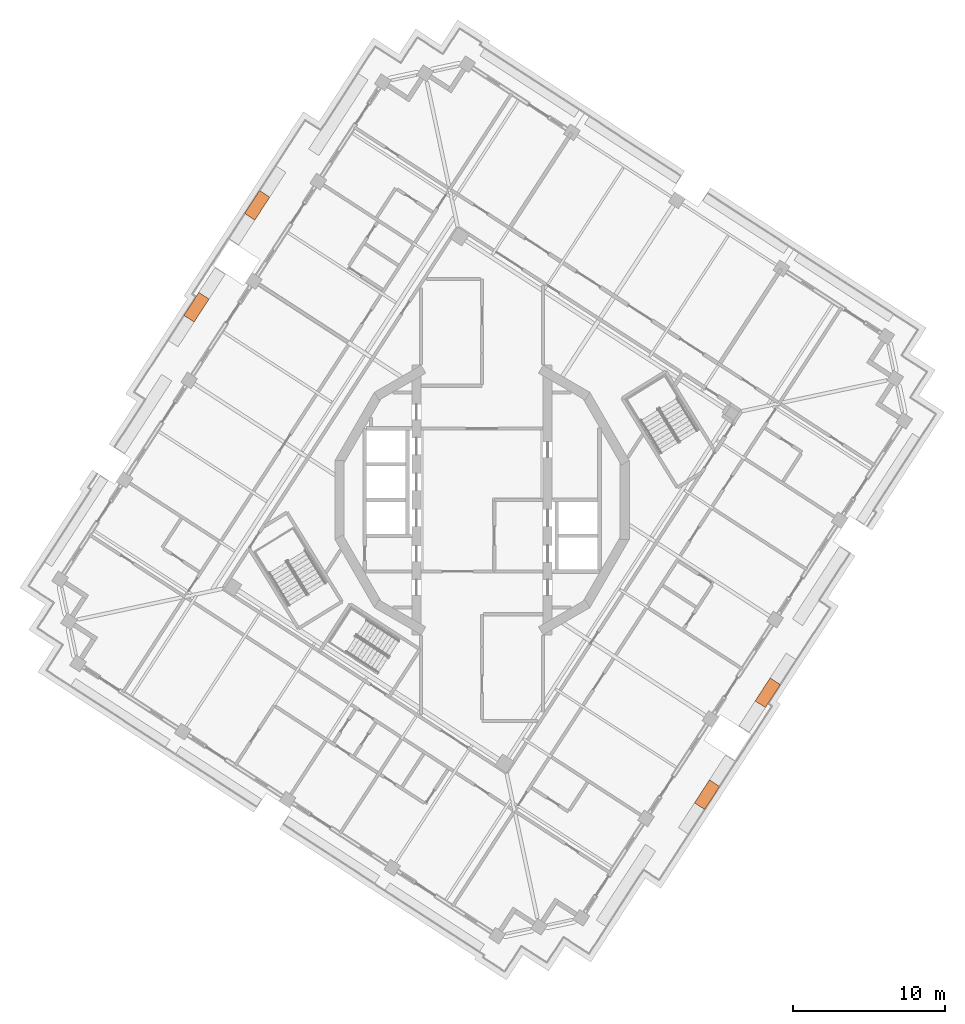
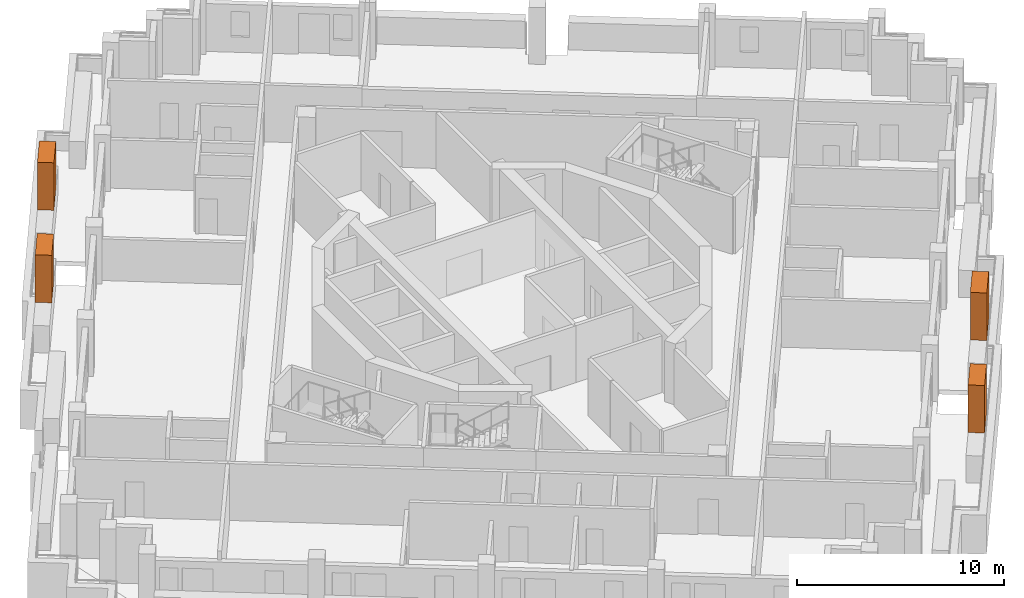
# One storey, part 15 of 15: 4 proxies.
"""IFC4 building model written with IfcOpenShell, lengths in metres."""

import ifcopenshell
import ifcopenshell.guid

model = None  # the IFC model being written
_history = None  # IfcOwnerHistory: only IFC2X3 demands one
_inside = {}  # id of a spatial element -> (the spatial element, [elements in it])
_under = {}  # id of a project, library or spatial element -> (it, [spatial elements below it])
_declared = {}  # id of a project -> (the project, [libraries it declares])
_typed = {}  # id of a type object -> (the type object, [elements of that type])
_made_of = {}  # id of a material, layer set ... -> (it, [elements and type objects made of it])


def new_model(schema):
    """Start an empty IFC model of exactly this schema.

    Asked for "IFC4X3", IfcOpenShell would pick the latest addendum, in which some entities
    have other attributes; the version numbers below select the first issue.
    IFC2X3 requires an IfcOwnerHistory on every rooted entity: one is made here for all.
    """
    global model, _history
    if schema == "IFC4X3":
        model = ifcopenshell.file(schema_version=(4, 3, 0, 0))
    else:
        model = ifcopenshell.file(schema=schema)
    _inside.clear()
    _under.clear()
    _declared.clear()
    _typed.clear()
    _made_of.clear()
    _history = None
    if model.schema == "IFC2X3":
        org = make("IfcOrganization", Name="unknown")
        user = make(
            "IfcPersonAndOrganization",
            ThePerson=make("IfcPerson", FamilyName="unknown"),
            TheOrganization=org,
        )
        app = make(
            "IfcApplication",
            ApplicationDeveloper=org,
            Version="unknown",
            ApplicationFullName="unknown",
            ApplicationIdentifier="unknown",
        )
        _history = make(
            "IfcOwnerHistory",
            OwningUser=user,
            OwningApplication=app,
            ChangeAction="ADDED",
            CreationDate=0,
        )
    return model


def make(cls, **values):
    """One entity of the class cls with the attributes given. An attribute that is None is left unset."""
    return model.create_entity(
        cls, **{name: value for name, value in values.items() if value is not None}
    )


def rooted(cls, **values):
    """An entity with a GlobalId (a new one), such as an element, a storey or a relation."""
    return make(cls, GlobalId=ifcopenshell.guid.new(), OwnerHistory=_history, **values)


def si_unit(unit_type, name, prefix=None):
    """IfcSIUnit, for example si_unit("LENGTHUNIT", "METRE", prefix="MILLI")."""
    return make("IfcSIUnit", UnitType=unit_type, Prefix=prefix, Name=name)


def assignment(units):
    """IfcUnitAssignment: the units of a project."""
    return None if units is None else make("IfcUnitAssignment", Units=units)


def point(xyz):
    """IfcCartesianPoint."""
    return None if xyz is None else make("IfcCartesianPoint", Coordinates=xyz)


def direction(xyz):
    """IfcDirection."""
    return None if xyz is None else make("IfcDirection", DirectionRatios=xyz)


def frame(location, z_axis=None, x_axis=None):
    """IfcAxis2Placement3D, a coordinate frame: its origin and axes. An axis left out is left unset."""
    return make(
        "IfcAxis2Placement3D",
        Location=point(location),
        Axis=direction(z_axis),
        RefDirection=direction(x_axis),
    )


def frame_2d(location, x_axis=None):
    """IfcAxis2Placement2D, a coordinate frame in the plane: its origin and x axis."""
    return make(
        "IfcAxis2Placement2D", Location=point(location), RefDirection=direction(x_axis)
    )


def origin():
    """The frame at (0, 0, 0) with its axes left unset."""
    return frame((0.0, 0.0, 0.0))


def origin_2d():
    """The frame at (0, 0) in the plane with its x axis left unset."""
    return frame_2d((0.0, 0.0))


def place(relative_to, where):
    """IfcLocalPlacement: puts the frame where relative to a parent placement (None: the world)."""
    return make(
        "IfcLocalPlacement", PlacementRelTo=relative_to, RelativePlacement=where
    )


def context(
    kind, dimensions, precision=None, world=None, true_north=None, identifier=None
):
    """IfcGeometricRepresentationContext, for example the 3D "Model" context."""
    return make(
        "IfcGeometricRepresentationContext",
        ContextIdentifier=identifier,
        ContextType=kind,
        CoordinateSpaceDimension=dimensions,
        Precision=precision,
        WorldCoordinateSystem=world,
        TrueNorth=true_north,
    )


def subcontext(parent, identifier, kind, view, scale=None):
    """IfcGeometricRepresentationSubContext, for example "Body" below "Model"."""
    return make(
        "IfcGeometricRepresentationSubContext",
        ContextIdentifier=identifier,
        ContextType=kind,
        ParentContext=parent,
        TargetScale=scale,
        TargetView=view,
    )


def project(units=None, contexts=None):
    """IfcProject with its units and contexts."""
    return rooted(
        "IfcProject",
        Name="project",
        RepresentationContexts=contexts,
        UnitsInContext=assignment(units),
    )


def spatial(cls, under=None, at=None, **own):
    """A site, building, storey or space (cls), placed at a placement, below another one or the project."""
    s = rooted(cls, ObjectPlacement=at, **own)
    if under is not None:
        _under.setdefault(under.id(), (under, []))[1].append(s)
    return s


def profile(cls, at=None, kind="AREA", **sizes):
    """A parametric profile (cls). Its sizes go by their IFC names, for example OverallWidth=200.0."""
    return make(cls, ProfileType=kind, Position=at, **sizes)


def rectangle(**sizes):
    """IfcRectangleProfileDef."""
    return profile("IfcRectangleProfileDef", **sizes)


def extrude(swept, where, along, depth):
    """IfcExtrudedAreaSolid: the profile swept, set in the frame where, extruded along a direction by depth."""
    return make(
        "IfcExtrudedAreaSolid",
        SweptArea=swept,
        Position=where,
        ExtrudedDirection=direction(along),
        Depth=depth,
    )


def shape(context_of_items, identifier, shape_type, items):
    """IfcShapeRepresentation: the items that make up one representation, for example the "Body"."""
    return make(
        "IfcShapeRepresentation",
        ContextOfItems=context_of_items,
        RepresentationIdentifier=identifier,
        RepresentationType=shape_type,
        Items=items,
    )


def made_of(thing, what):
    """Note that an element or type object is made of a material, layer set ...; save() writes the relation."""
    if what is not None:
        _made_of.setdefault(what.id(), (what, []))[1].append(thing)
    return thing


def element(
    cls,
    number,
    at=None,
    inside=None,
    cuts=None,
    type_object=None,
    material=None,
    context=None,
    identifier="Body",
    shape_type=None,
    held_by="IfcProductDefinitionShape",
    body=None,
    shapes=None,
    **own,
):
    """One element of the class cls, such as IfcWall. Its Tag is "e" and its number.

    at: its placement. inside: the storey or other place that contains it. cuts: it is an
    opening in that element (IfcRelVoidsElement). A single representation is given by context,
    identifier, shape_type and body (its items); several are given by shapes. held_by: the class
    of the entity that holds the representations. save() writes the other relations.
    """
    e = rooted(cls, Tag="e%d" % number, ObjectPlacement=at, **own)
    if body is not None:
        shapes = [shape(context, identifier, shape_type, body)]
    if shapes is not None:
        e.Representation = make(held_by, Representations=shapes)
    if inside is not None:
        _inside.setdefault(inside.id(), (inside, []))[1].append(e)
    if cuts is not None:
        rooted(
            "IfcRelVoidsElement", RelatingBuildingElement=cuts, RelatedOpeningElement=e
        )
    if type_object is not None:
        _typed.setdefault(type_object.id(), (type_object, []))[1].append(e)
    return made_of(e, material)


def aggregate(whole, parts):
    """IfcRelAggregates: a whole, such as a stair, and the parts it consists of."""
    return rooted("IfcRelAggregates", RelatingObject=whole, RelatedObjects=parts)


def save(model, path):
    """Write the relations noted so far, then the file.

    IfcRelAggregates (storeys below a building ...), IfcRelContainedInSpatialStructure (elements
    in a storey), IfcRelDefinesByType, IfcRelAssociatesMaterial and IfcRelDeclares: one each for
    every whole, place, type object, material and project.
    """
    for whole, parts in _under.values():
        aggregate(whole, parts)
    for where, things in _inside.values():
        rooted(
            "IfcRelContainedInSpatialStructure",
            RelatedElements=things,
            RelatingStructure=where,
        )
    for kind, things in _typed.values():
        rooted("IfcRelDefinesByType", RelatedObjects=things, RelatingType=kind)
    for what, things in _made_of.values():
        rooted("IfcRelAssociatesMaterial", RelatedObjects=things, RelatingMaterial=what)
    for by, libraries in _declared.values():
        rooted("IfcRelDeclares", RelatingContext=by, RelatedDefinitions=libraries)
    model.write(path)


model = new_model("IFC4")

# Units and contexts
model_context = context("Model", 3, precision=1e-05, world=origin(), true_north=direction((0.0, 1.0)))
body_context = subcontext(model_context, "Body", "Model", "MODEL_VIEW")
ifc_project = project(units=[si_unit("LENGTHUNIT", "METRE"), si_unit("AREAUNIT", "SQUARE_METRE"), si_unit("VOLUMEUNIT", "CUBIC_METRE"), si_unit("PLANEANGLEUNIT", "RADIAN"), si_unit("MASSUNIT", "GRAM", prefix="KILO")], contexts=[model_context])

# Site, building, storey
site_placement = place(None, origin())
site = spatial("IfcSite", under=ifc_project, at=site_placement, CompositionType="ELEMENT")
building_placement = place(site_placement, origin())
building = spatial("IfcBuilding", under=site, at=building_placement, Name="Cantera Rosa Tower", CompositionType="ELEMENT")
storey_placement = place(building_placement, frame((0.0, 0.0, 272.10009765625)))
storey = spatial("IfcBuildingStorey", under=building, at=storey_placement, Name="L61", CompositionType="ELEMENT", Elevation=272.10009765625)

# Proxies
for number, where, z_axis, x_axis, name in (
    (1, (-14.763916015625, 19.34130859375, 1.60009765625), (0.0, 0.0, 1.0), (-0.544639035015, -0.838670567945, 0.0), "TREE L61-06"),
    (2, (-18.747314453125, 12.651611328125, 1.60009765625), (0.0, 0.0, 1.0), (-0.544639035015, -0.838670567945, 0.0), "TREE L61-07"),
    (3, (14.763916015625, -19.34130859375, 1.60009765625), (0.0, 0.0, 1.0), (0.544639035015, 0.838670567945, 0.0), "TREE L61-15"),
    (4, (18.747314453125, -12.651611328125, 1.60009765625), (0.0, 0.0, 1.0), (0.544639035015, 0.838670567945, 0.0), "TREE L61-16"),
):
    element("IfcBuildingElementProxy", number, at=place(storey_placement, frame(where, z_axis=z_axis, x_axis=x_axis)), inside=storey, Name=name, ObjectType="TREE", PredefinedType="USERDEFINED", context=body_context, shape_type="SweptSolid", body=[
        extrude(rectangle(XDim=1.800048828125, YDim=0.800048828125, at=origin_2d()), origin(), (0.0, 0.0, 1.0), 2.800048828125),
    ])

save(model, "model.ifc")
